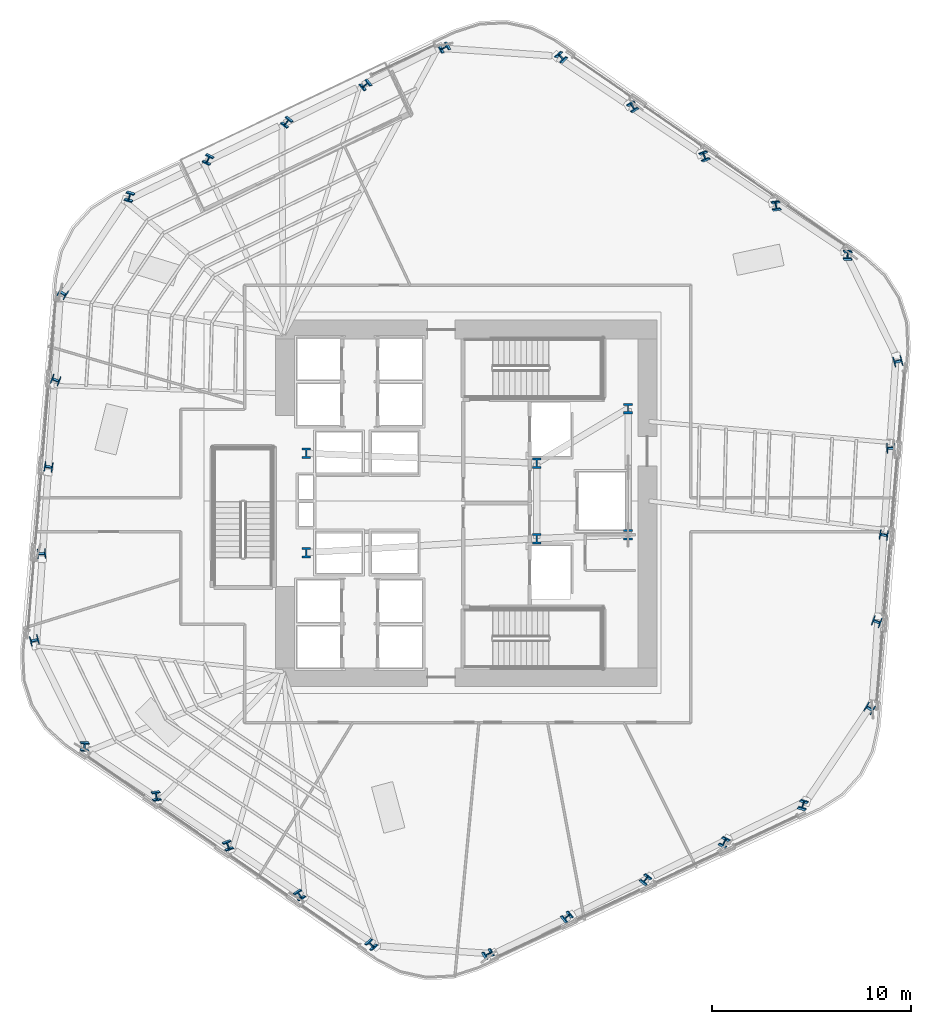
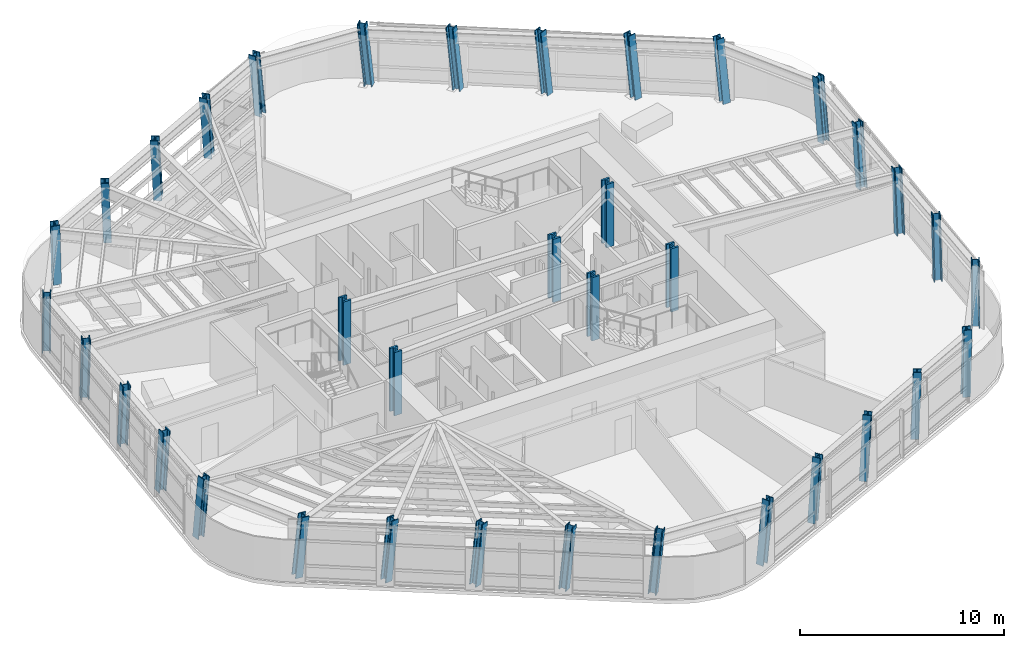
# One storey, part 1 of 19: 36 columns.
"""IFC4 building model written with IfcOpenShell, lengths in metres."""

from ifc_helpers import new_model, si_unit, direction, frame, origin, origin_2d, place, context, subcontext, project, spatial, i_section, extrude, material, material_profile, profile_set, type_object, element, save


model = new_model("IFC4")

# Units and contexts
model_context = context("Model", 3, precision=1e-05, world=origin(), true_north=direction((0.0, 1.0)))
body_context = subcontext(model_context, "Body", "Model", "MODEL_VIEW")
ifc_project = project(units=[si_unit("LENGTHUNIT", "METRE"), si_unit("AREAUNIT", "SQUARE_METRE"), si_unit("VOLUMEUNIT", "CUBIC_METRE"), si_unit("PLANEANGLEUNIT", "RADIAN"), si_unit("MASSUNIT", "GRAM", prefix="KILO")], contexts=[model_context])

# Site, building, storey
site_placement = place(None, origin())
site = spatial("IfcSite", under=ifc_project, at=site_placement, CompositionType="ELEMENT")
building_placement = place(site_placement, origin())
building = spatial("IfcBuilding", under=site, at=building_placement, Name="Valkerne Bourse Tower", CompositionType="ELEMENT")
storey_placement = place(building_placement, frame((0.0, 0.0, 131.39990234375)))
storey = spatial("IfcBuildingStorey", under=building, at=storey_placement, Name="L33", CompositionType="ELEMENT", Elevation=131.39990234375)

# Columns
ifc_material = material(Name="Steel ASTM A913 Grade 65", Category="steel")
ifc_material_profile_1 = material_profile(ifc_material, i_section(OverallWidth=0.408935546875, OverallDepth=0.42431640625, WebThickness=0.03271484375, FlangeThickness=0.052490234375, FilletRadius=0.025390625, at=origin_2d()), Name="W14X283")
ifc_profile_set_1 = profile_set([ifc_material_profile_1], Name="Steel ASTM A913 Grade 65")
column_type_1 = type_object("IfcColumnType", Name="COL-W14X283", PredefinedType="COLUMN", material=ifc_profile_set_1)
column_1_placement = place(storey_placement, frame((66.033203125, 39.313232421875, 0.010009765625), z_axis=(-0.051553639489, 0.079194618268, 0.995525205453), x_axis=(0.998147266944, -0.028170006563, 0.053930364575)))
element("IfcColumn", 1, at=column_1_placement, inside=storey, type_object=column_type_1, Name="L33 Helical Perimeter Tube Column F1-C1", PredefinedType="COLUMN", context=body_context, shape_type="SweptSolid", body=[
    extrude(i_section(OverallWidth=0.408935546875, OverallDepth=0.42431640625, WebThickness=0.03271484375, FlangeThickness=0.052490234375, FilletRadius=0.025390625, at=origin_2d()), origin(), (0.0, 0.0, 1.0), 3.798095703125),
])
column_2_placement = place(storey_placement, frame((62.43408203125, 41.814697265625, 0.010009765625), z_axis=(-0.061804964045, 0.064248864809, 0.99601818748), x_axis=(0.985867886214, 0.159611437857, 0.050879267271)))
element("IfcColumn", 2, at=column_2_placement, inside=storey, type_object=column_type_1, Name="L33 Helical Perimeter Tube Column F1-C2", PredefinedType="COLUMN", context=body_context, shape_type="SweptSolid", body=[
    extrude(i_section(OverallWidth=0.408935546875, OverallDepth=0.42431640625, WebThickness=0.03271484375, FlangeThickness=0.052490234375, FilletRadius=0.025390625, at=origin_2d()), origin(), (0.0, 0.0, 1.0), 3.796142578125),
])
column_3_placement = place(storey_placement, frame((58.8349609375, 44.316162109375, 0.010009765625), z_axis=(-0.072042734154, 0.049272084252, 0.996183771284), x_axis=(0.932837783101, 0.356836679629, 0.049812192192)))
element("IfcColumn", 3, at=column_3_placement, inside=storey, type_object=column_type_1, Name="L33 Helical Perimeter Tube Column F1-C3", PredefinedType="COLUMN", context=body_context, shape_type="SweptSolid", body=[
    extrude(i_section(OverallWidth=0.408935546875, OverallDepth=0.42431640625, WebThickness=0.03271484375, FlangeThickness=0.052490234375, FilletRadius=0.025390625, at=origin_2d()), origin(), (0.0, 0.0, 1.0), 3.79541015625),
])
column_4_placement = place(storey_placement, frame((55.236083984375, 46.817626953125, 0.010009765625), z_axis=(-0.082320703194, 0.034278855315, 0.996016195603), x_axis=(0.840420714155, 0.539539647278, 0.050891966302)))
element("IfcColumn", 4, at=column_4_placement, inside=storey, type_object=column_type_1, Name="L33 Helical Perimeter Tube Column F1-C4", PredefinedType="COLUMN", context=body_context, shape_type="SweptSolid", body=[
    extrude(i_section(OverallWidth=0.408935546875, OverallDepth=0.42431640625, WebThickness=0.03271484375, FlangeThickness=0.052490234375, FilletRadius=0.025390625, at=origin_2d()), origin(), (0.0, 0.0, 1.0), 3.796142578125),
])
for number, where, z_axis, x_axis, name in (
    (5, (51.636962890625, 49.319091796875, 0.010009765625), (-0.092500915561, 0.019284416031, 0.995525836892), (0.723789944251, 0.687909908254, 0.053926567915), "L33 Helical Perimeter Tube Column F1-C5"),
    (6, (45.7529296875, 49.81298828125, 0.010009765625), (-0.094301290821, -0.005013974563, 0.995531077671), (-0.471320185058, 0.881045163246, -0.040208251356), "L33 Helical Perimeter Tube Column F2-C1"),
):
    element("IfcColumn", number, at=place(storey_placement, frame(where, z_axis=z_axis, x_axis=x_axis)), inside=storey, type_object=column_type_1, Name=name, PredefinedType="COLUMN", context=body_context, shape_type="SweptSolid", body=[
        extrude(i_section(OverallWidth=0.408935546875, OverallDepth=0.42431640625, WebThickness=0.03271484375, FlangeThickness=0.052490234375, FilletRadius=0.025390625, at=origin_2d()), origin(), (0.0, 0.0, 1.0), 3.798095703125),
    ])
column_5_placement = place(storey_placement, frame((41.787109375, 47.947021484375, 0.010009765625), z_axis=(-0.08650139273, -0.021480643251, 0.996020125811), x_axis=(-0.629654031082, 0.775948236502, -0.037949116085)))
element("IfcColumn", 7, at=column_5_placement, inside=storey, type_object=column_type_1, Name="L33 Helical Perimeter Tube Column F2-C2", PredefinedType="COLUMN", context=body_context, shape_type="SweptSolid", body=[
    extrude(i_section(OverallWidth=0.408935546875, OverallDepth=0.42431640625, WebThickness=0.03271484375, FlangeThickness=0.052490234375, FilletRadius=0.025390625, at=origin_2d()), origin(), (0.0, 0.0, 1.0), 3.796142578125),
])
column_6_placement = place(storey_placement, frame((37.8212890625, 46.080810546875, 0.010009765625), z_axis=(-0.078668232378, -0.037758178582, 0.996185539528), x_axis=(-0.773915640048, 0.632197902551, -0.037153655258)))
element("IfcColumn", 8, at=column_6_placement, inside=storey, type_object=column_type_1, Name="L33 Helical Perimeter Tube Column F2-C3", PredefinedType="COLUMN", context=body_context, shape_type="SweptSolid", body=[
    extrude(i_section(OverallWidth=0.408935546875, OverallDepth=0.42431640625, WebThickness=0.03271484375, FlangeThickness=0.052490234375, FilletRadius=0.025390625, at=origin_2d()), origin(), (0.0, 0.0, 1.0), 3.79541015625),
])
column_7_placement = place(storey_placement, frame((33.85546875, 44.214599609375, 0.010009765625), z_axis=(-0.070808861242, -0.054151735846, 0.99601892285), x_axis=(-0.886527467053, 0.461116558279, -0.037954839488)))
element("IfcColumn", 9, at=column_7_placement, inside=storey, type_object=column_type_1, Name="L33 Helical Perimeter Tube Column F2-C4", PredefinedType="COLUMN", context=body_context, shape_type="SweptSolid", body=[
    extrude(i_section(OverallWidth=0.408935546875, OverallDepth=0.42431640625, WebThickness=0.03271484375, FlangeThickness=0.052490234375, FilletRadius=0.025390625, at=origin_2d()), origin(), (0.0, 0.0, 1.0), 3.796142578125),
])
for number, where, z_axis, x_axis, name in (
    (10, (29.8896484375, 42.348388671875, 0.010009765625), (-0.062931615988, -0.070452554773, 0.995528025339), (-0.957189819695, 0.286652828071, -0.04022194963), "L33 Helical Perimeter Tube Column F2-C5"),
    (11, (26.519775390625, 37.499755859375, 0.010009765625), (-0.042747333812, -0.084209033524, 0.995530765032), (-0.523661832919, -0.846712605322, -0.094106581769), "L33 Helical Perimeter Tube Column F3-C1"),
):
    element("IfcColumn", number, at=place(storey_placement, frame(where, z_axis=z_axis, x_axis=x_axis)), inside=storey, type_object=column_type_1, Name=name, PredefinedType="COLUMN", context=body_context, shape_type="SweptSolid", body=[
        extrude(i_section(OverallWidth=0.408935546875, OverallDepth=0.42431640625, WebThickness=0.03271484375, FlangeThickness=0.052490234375, FilletRadius=0.025390625, at=origin_2d()), origin(), (0.0, 0.0, 1.0), 3.798095703125),
    ])
column_8_placement = place(storey_placement, frame((26.153076171875, 33.132080078125, 0.010009765625), z_axis=(-0.024760662421, -0.085601147227, 0.996021763412), x_axis=(-0.356171866629, -0.930191676416, -0.088797784591)))
element("IfcColumn", 12, at=column_8_placement, inside=storey, type_object=column_type_1, Name="L33 Helical Perimeter Tube Column F3-C2", PredefinedType="COLUMN", context=body_context, shape_type="SweptSolid", body=[
    extrude(i_section(OverallWidth=0.408935546875, OverallDepth=0.42431640625, WebThickness=0.03271484375, FlangeThickness=0.052490234375, FilletRadius=0.025390625, at=origin_2d()), origin(), (0.0, 0.0, 1.0), 3.796142578125),
])
column_9_placement = place(storey_placement, frame((25.7861328125, 28.7646484375, 0.010009765625), z_axis=(-0.006625357738, -0.08703018465, 0.996183643509), x_axis=(-0.158789016981, -0.983474067688, -0.086975894772)))
element("IfcColumn", 13, at=column_9_placement, inside=storey, type_object=column_type_1, Name="L33 Helical Perimeter Tube Column F3-C3", PredefinedType="COLUMN", context=body_context, shape_type="SweptSolid", body=[
    extrude(i_section(OverallWidth=0.408935546875, OverallDepth=0.42431640625, WebThickness=0.03271484375, FlangeThickness=0.052490234375, FilletRadius=0.025390625, at=origin_2d()), origin(), (0.0, 0.0, 1.0), 3.79541015625),
])
column_10_placement = place(storey_placement, frame((25.41943359375, 24.39697265625, 0.010009765625), z_axis=(0.011447727049, -0.088430475803, 0.996016566376), x_axis=(0.044438012104, -0.995052730425, -0.088855651223)))
element("IfcColumn", 14, at=column_10_placement, inside=storey, type_object=column_type_1, Name="L33 Helical Perimeter Tube Column F3-C4", PredefinedType="COLUMN", context=body_context, shape_type="SweptSolid", body=[
    extrude(i_section(OverallWidth=0.408935546875, OverallDepth=0.42431640625, WebThickness=0.03271484375, FlangeThickness=0.052490234375, FilletRadius=0.025390625, at=origin_2d()), origin(), (0.0, 0.0, 1.0), 3.796142578125),
])
column_11_placement = place(storey_placement, frame((25.052734375, 20.029296875, 0.010009765625), z_axis=(0.029505401281, -0.089673278402, 0.995534095064), x_axis=(0.230575545934, -0.968496490841, -0.09407159426)))
element("IfcColumn", 15, at=column_11_placement, inside=storey, type_object=column_type_1, Name="L33 Helical Perimeter Tube Column F3-C5", PredefinedType="COLUMN", context=body_context, shape_type="SweptSolid", body=[
    extrude(i_section(OverallWidth=0.408935546875, OverallDepth=0.42431640625, WebThickness=0.03271484375, FlangeThickness=0.052490234375, FilletRadius=0.025390625, at=origin_2d()), origin(), (0.0, 0.0, 1.0), 3.7978515625),
])
column_12_placement = place(storey_placement, frame((27.56689453125, 14.686767578125, 0.010009765625), z_axis=(0.05148952867, -0.079194880552, 0.995528502521), x_axis=(0.998132064639, -0.028740833521, -0.053910537268)))
element("IfcColumn", 16, at=column_12_placement, inside=storey, type_object=column_type_1, Name="L33 Helical Perimeter Tube Column F4-C1", PredefinedType="COLUMN", context=body_context, shape_type="SweptSolid", body=[
    extrude(i_section(OverallWidth=0.408935546875, OverallDepth=0.42431640625, WebThickness=0.03271484375, FlangeThickness=0.052490234375, FilletRadius=0.025390625, at=origin_2d()), origin(), (0.0, 0.0, 1.0), 3.798095703125),
])
column_13_placement = place(storey_placement, frame((31.166015625, 12.185302734375, 0.010009765625), z_axis=(0.061740896152, -0.064249120058, 0.99602214449), x_axis=(0.985952341171, 0.159096978445, -0.050854030223)))
element("IfcColumn", 17, at=column_13_placement, inside=storey, type_object=column_type_1, Name="L33 Helical Perimeter Tube Column F4-C2", PredefinedType="COLUMN", context=body_context, shape_type="SweptSolid", body=[
    extrude(i_section(OverallWidth=0.408935546875, OverallDepth=0.42431640625, WebThickness=0.03271484375, FlangeThickness=0.052490234375, FilletRadius=0.025390625, at=origin_2d()), origin(), (0.0, 0.0, 1.0), 3.796142578125),
])
column_14_placement = place(storey_placement, frame((34.764892578125, 9.683837890625, 0.010009765625), z_axis=(0.072042734154, -0.049272084252, 0.996183771284), x_axis=(0.932837783101, 0.356836679629, -0.049812192192)))
element("IfcColumn", 18, at=column_14_placement, inside=storey, type_object=column_type_1, Name="L33 Helical Perimeter Tube Column F4-C3", PredefinedType="COLUMN", context=body_context, shape_type="SweptSolid", body=[
    extrude(i_section(OverallWidth=0.408935546875, OverallDepth=0.42431640625, WebThickness=0.03271484375, FlangeThickness=0.052490234375, FilletRadius=0.025390625, at=origin_2d()), origin(), (0.0, 0.0, 1.0), 3.79541015625),
])
column_15_placement = place(storey_placement, frame((38.364013671875, 7.182373046875, 0.010009765625), z_axis=(0.082320703194, -0.034278855315, 0.996016195603), x_axis=(0.840420714155, 0.539539647278, -0.050891966302)))
element("IfcColumn", 19, at=column_15_placement, inside=storey, type_object=column_type_1, Name="L33 Helical Perimeter Tube Column F4-C4", PredefinedType="COLUMN", context=body_context, shape_type="SweptSolid", body=[
    extrude(i_section(OverallWidth=0.408935546875, OverallDepth=0.42431640625, WebThickness=0.03271484375, FlangeThickness=0.052490234375, FilletRadius=0.025390625, at=origin_2d()), origin(), (0.0, 0.0, 1.0), 3.796142578125),
])
for number, where, z_axis, x_axis, name in (
    (20, (41.963134765625, 4.680908203125, 0.010009765625), (0.092437183624, -0.019284530659, 0.995531754371), (0.723888818085, 0.687808652098, -0.053890974674), "L33 Helical Perimeter Tube Column F4-C5"),
    (21, (47.846923828125, 4.18701171875, 0.010009765625), (0.094301290821, 0.005013974563, 0.995531077671), (-0.471320185058, 0.881045163246, 0.040208251356), "L33 Helical Perimeter Tube Column F5-C1"),
):
    element("IfcColumn", number, at=place(storey_placement, frame(where, z_axis=z_axis, x_axis=x_axis)), inside=storey, type_object=column_type_1, Name=name, PredefinedType="COLUMN", context=body_context, shape_type="SweptSolid", body=[
        extrude(i_section(OverallWidth=0.408935546875, OverallDepth=0.42431640625, WebThickness=0.03271484375, FlangeThickness=0.052490234375, FilletRadius=0.025390625, at=origin_2d()), origin(), (0.0, 0.0, 1.0), 3.798095703125),
    ])
column_16_placement = place(storey_placement, frame((51.81298828125, 6.052978515625, 0.010009765625), z_axis=(0.08650139273, 0.021480643251, 0.996020125811), x_axis=(-0.629654031082, 0.775948236502, 0.037949116085)))
element("IfcColumn", 22, at=column_16_placement, inside=storey, type_object=column_type_1, Name="L33 Helical Perimeter Tube Column F5-C2", PredefinedType="COLUMN", context=body_context, shape_type="SweptSolid", body=[
    extrude(i_section(OverallWidth=0.408935546875, OverallDepth=0.42431640625, WebThickness=0.03271484375, FlangeThickness=0.052490234375, FilletRadius=0.025390625, at=origin_2d()), origin(), (0.0, 0.0, 1.0), 3.796142578125),
])
column_17_placement = place(storey_placement, frame((55.77880859375, 7.919189453125, 0.010009765625), z_axis=(0.078668232378, 0.037758178582, 0.996185539528), x_axis=(-0.773915640048, 0.632197902551, 0.037153655258)))
element("IfcColumn", 23, at=column_17_placement, inside=storey, type_object=column_type_1, Name="L33 Helical Perimeter Tube Column F5-C3", PredefinedType="COLUMN", context=body_context, shape_type="SweptSolid", body=[
    extrude(i_section(OverallWidth=0.408935546875, OverallDepth=0.42431640625, WebThickness=0.03271484375, FlangeThickness=0.052490234375, FilletRadius=0.025390625, at=origin_2d()), origin(), (0.0, 0.0, 1.0), 3.79541015625),
])
column_18_placement = place(storey_placement, frame((59.74462890625, 9.785400390625, 0.010009765625), z_axis=(0.070808861242, 0.054151735846, 0.99601892285), x_axis=(-0.886527467053, 0.461116558279, 0.037954839488)))
element("IfcColumn", 24, at=column_18_placement, inside=storey, type_object=column_type_1, Name="L33 Helical Perimeter Tube Column F5-C4", PredefinedType="COLUMN", context=body_context, shape_type="SweptSolid", body=[
    extrude(i_section(OverallWidth=0.408935546875, OverallDepth=0.42431640625, WebThickness=0.03271484375, FlangeThickness=0.052490234375, FilletRadius=0.025390625, at=origin_2d()), origin(), (0.0, 0.0, 1.0), 3.796142578125),
])
for number, where, z_axis, x_axis, name in (
    (25, (63.71044921875, 11.651611328125, 0.010009765625), (0.062931615988, 0.070452554773, 0.995528025339), (-0.957189819695, 0.286652828071, 0.04022194963), "L33 Helical Perimeter Tube Column F5-C5"),
    (26, (67.080078125, 16.500244140625, 0.010009765625), (0.042811497788, 0.084208801956, 0.995528027396), (-0.524174255849, -0.846392277933, 0.094135335345), "L33 Helical Perimeter Tube Column F6-C1"),
):
    element("IfcColumn", number, at=place(storey_placement, frame(where, z_axis=z_axis, x_axis=x_axis)), inside=storey, type_object=column_type_1, Name=name, PredefinedType="COLUMN", context=body_context, shape_type="SweptSolid", body=[
        extrude(i_section(OverallWidth=0.408935546875, OverallDepth=0.42431640625, WebThickness=0.03271484375, FlangeThickness=0.052490234375, FilletRadius=0.025390625, at=origin_2d()), origin(), (0.0, 0.0, 1.0), 3.798095703125),
    ])
column_19_placement = place(storey_placement, frame((67.447021484375, 20.867919921875, 0.010009765625), z_axis=(0.024696388289, 0.085601283365, 0.996023347463), x_axis=(-0.355527181467, -0.930439955127, 0.08878013934)))
element("IfcColumn", 27, at=column_19_placement, inside=storey, type_object=column_type_1, Name="L33 Helical Perimeter Tube Column F6-C2", PredefinedType="COLUMN", context=body_context, shape_type="SweptSolid", body=[
    extrude(i_section(OverallWidth=0.408935546875, OverallDepth=0.42431640625, WebThickness=0.03271484375, FlangeThickness=0.052490234375, FilletRadius=0.025390625, at=origin_2d()), origin(), (0.0, 0.0, 1.0), 3.796142578125),
])
column_20_placement = place(storey_placement, frame((67.813720703125, 25.2353515625, 0.010009765625), z_axis=(0.006625357738, 0.08703018465, 0.996183643509), x_axis=(-0.158789016981, -0.983474067688, 0.086975894772)))
element("IfcColumn", 28, at=column_20_placement, inside=storey, type_object=column_type_1, Name="L33 Helical Perimeter Tube Column F6-C3", PredefinedType="COLUMN", context=body_context, shape_type="SweptSolid", body=[
    extrude(i_section(OverallWidth=0.408935546875, OverallDepth=0.42431640625, WebThickness=0.03271484375, FlangeThickness=0.052490234375, FilletRadius=0.025390625, at=origin_2d()), origin(), (0.0, 0.0, 1.0), 3.79541015625),
])
column_21_placement = place(storey_placement, frame((68.180419921875, 29.60302734375, 0.010009765625), z_axis=(-0.011447727049, 0.088430475803, 0.996016566376), x_axis=(0.044438012104, -0.995052730425, 0.088855651223)))
element("IfcColumn", 29, at=column_21_placement, inside=storey, type_object=column_type_1, Name="L33 Helical Perimeter Tube Column F6-C4", PredefinedType="COLUMN", context=body_context, shape_type="SweptSolid", body=[
    extrude(i_section(OverallWidth=0.408935546875, OverallDepth=0.42431640625, WebThickness=0.03271484375, FlangeThickness=0.052490234375, FilletRadius=0.025390625, at=origin_2d()), origin(), (0.0, 0.0, 1.0), 3.796142578125),
])
column_22_placement = place(storey_placement, frame((68.54736328125, 33.970703125, 0.010009765625), z_axis=(-0.029569627056, 0.089673108137, 0.995532204819), x_axis=(0.23120121706, -0.968345390412, 0.094091456026)))
element("IfcColumn", 30, at=column_22_placement, inside=storey, type_object=column_type_1, Name="L33 Helical Perimeter Tube Column F6-C5", PredefinedType="COLUMN", context=body_context, shape_type="SweptSolid", body=[
    extrude(i_section(OverallWidth=0.408935546875, OverallDepth=0.42431640625, WebThickness=0.03271484375, FlangeThickness=0.052490234375, FilletRadius=0.025390625, at=origin_2d()), origin(), (0.0, 0.0, 1.0), 3.798095703125),
])
ifc_material_profile_2 = material_profile(ifc_material, i_section(OverallWidth=0.44189453125, OverallDepth=0.531005859375, WebThickness=0.06591796875, FlangeThickness=0.105712890625, FilletRadius=0.030517578125, at=origin_2d()), Name="W14X605")
ifc_profile_set_2 = profile_set([ifc_material_profile_2], Name="Steel ASTM A913 Grade 65")
column_type_2 = type_object("IfcColumnType", Name="COL-W14X605", PredefinedType="COLUMN", material=ifc_profile_set_2)
for number, where, z_axis, x_axis, name in (
    (31, (38.75, 24.39990234375, 0.005126953125), (0.0, 0.0, 1.0), (1.0, 0.0, 0.0), "L33 Core Frame Column CC-SW"),
    (32, (38.75, 29.39990234375, 0.005126953125), (0.0, 0.0, 1.0), (1.0, 0.0, 0.0), "L33 Core Frame Column CC-NW"),
    (33, (50.35009765625, 25.10009765625, 0.005126953125), (0.0, 0.0, 1.0), (1.0, 0.0, 0.0), "L33 Core Frame Column CC-CE1"),
    (34, (50.35009765625, 28.89990234375, 0.005126953125), (0.0, 0.0, 1.0), (1.0, 0.0, 0.0), "L33 Core Frame Column CC-CE2"),
    (35, (54.949951171875, 25.300048828125, 0.005126953125), (0.0, 0.0, 1.0), (1.0, 0.0, 0.0), "L33 Core Frame Column CC-SE"),
    (36, (54.949951171875, 31.64990234375, 0.005126953125), (0.0, 0.0, 1.0), (1.0, 0.0, 0.0), "L33 Core Frame Column CC-NE"),
):
    element("IfcColumn", number, at=place(storey_placement, frame(where, z_axis=z_axis, x_axis=x_axis)), inside=storey, type_object=column_type_2, Name=name, PredefinedType="COLUMN", context=body_context, shape_type="SweptSolid", body=[
        extrude(i_section(OverallWidth=0.44189453125, OverallDepth=0.531005859375, WebThickness=0.06591796875, FlangeThickness=0.105712890625, FilletRadius=0.030517578125, at=origin_2d()), origin(), (0.0, 0.0, 1.0), 3.794921875),
    ])

save(model, "model.ifc")
